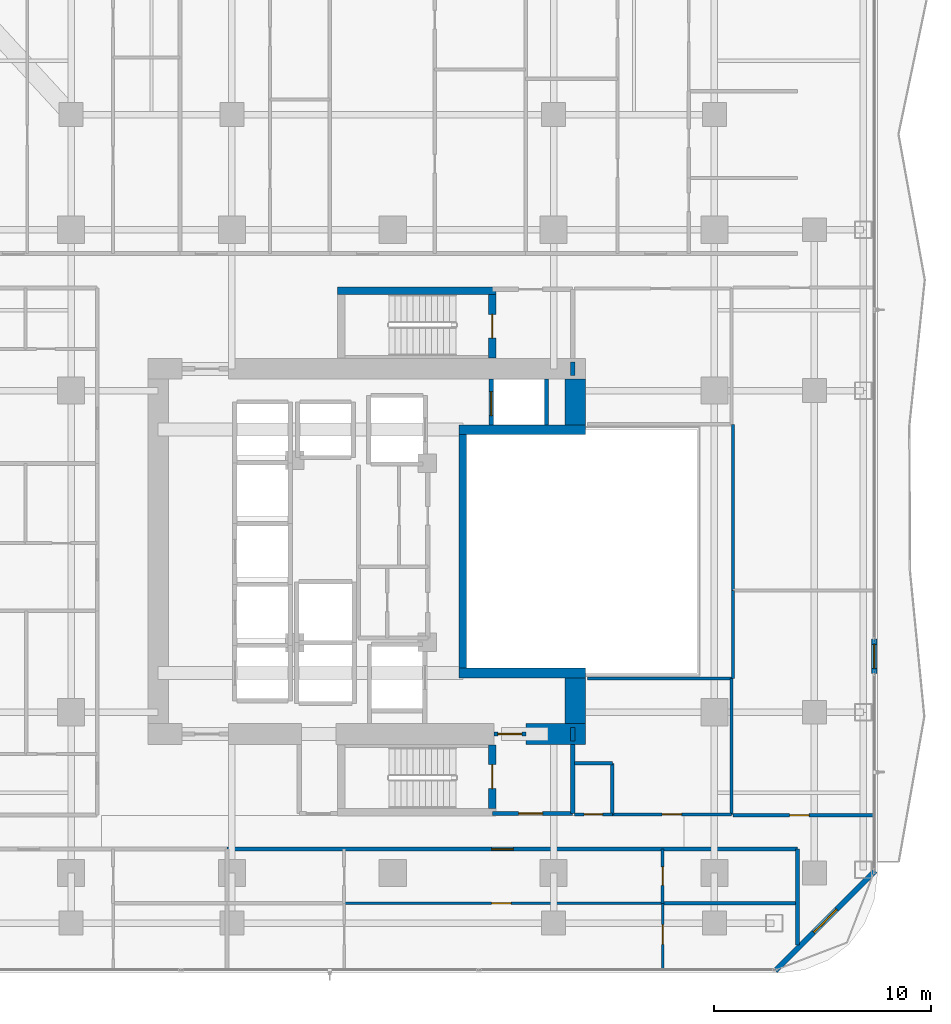
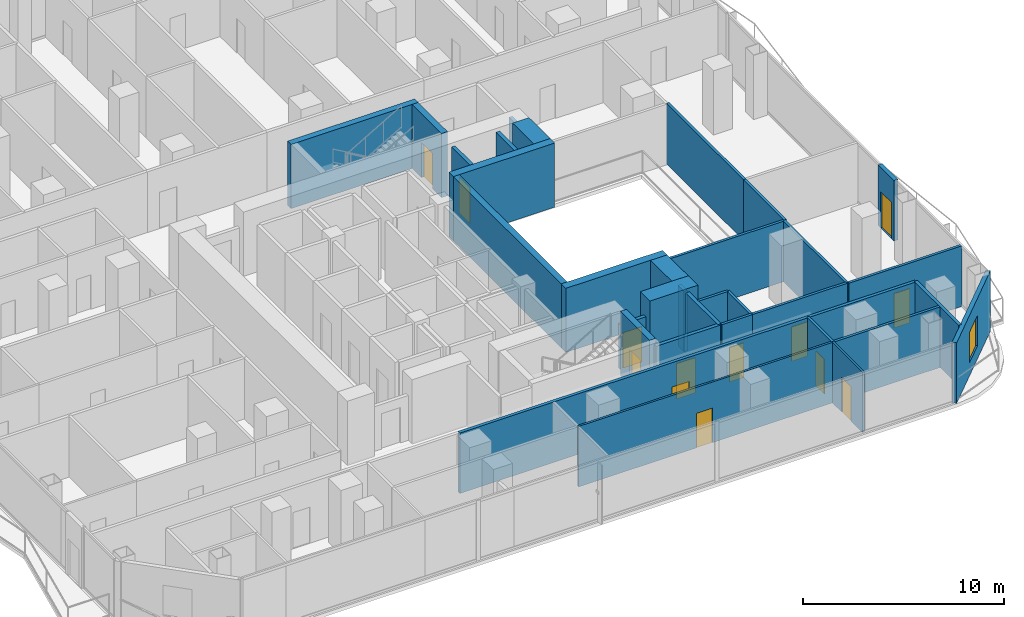
# One storey, part 21 of 28: 33 walls, 13 doors, 1 window, 14 openings.
"""IFC4 building model written with IfcOpenShell, lengths in metres."""

from ifc_helpers import new_model, si_unit, direction, frame, frame_2d, origin, place, context, subcontext, project, spatial, rectangle, extrude, material, layer, layer_set, type_object, element, fill, save


model = new_model("IFC4")

# Units and contexts
model_context = context("Model", 3, precision=1e-05, world=origin(), true_north=direction((0.0, 1.0)))
body_context = subcontext(model_context, "Body", "Model", "MODEL_VIEW")
ifc_project = project(units=[si_unit("LENGTHUNIT", "METRE"), si_unit("AREAUNIT", "SQUARE_METRE"), si_unit("VOLUMEUNIT", "CUBIC_METRE"), si_unit("PLANEANGLEUNIT", "RADIAN"), si_unit("MASSUNIT", "GRAM", prefix="KILO")], contexts=[model_context])

# Site, building, storey
site_placement = place(None, origin())
site = spatial("IfcSite", under=ifc_project, at=site_placement, CompositionType="ELEMENT")
building_placement = place(site_placement, origin())
building = spatial("IfcBuilding", under=site, at=building_placement, Name="Khorvyn Point Tower", CompositionType="ELEMENT")
storey_placement = place(building_placement, frame((0.0, 0.0, 89.10009765625)))
storey = spatial("IfcBuildingStorey", under=building, at=storey_placement, Name="L22", CompositionType="ELEMENT", Elevation=89.10009765625)

# Wall, opening, door
ifc_material_1 = material(Name="Double acoustic gypsum on twin steel stud", Category="steel")
ifc_layer_1 = layer(ifc_material_1, 0.179931640625)
ifc_layer_set_1 = layer_set([ifc_layer_1], Name="Acoustic Double-Stud Apartment Demising Wall 180")
wall_type_1 = type_object("IfcWallType", Name="Acoustic Double-Stud Apartment Demising Wall 180", PredefinedType="PARTITIONING", material=ifc_layer_set_1)
wall_1_placement = place(storey_placement, frame((-7.634033203125, -13.699951171875, 0.0), z_axis=(0.0, 0.0, 1.0), x_axis=(1.0, 0.0, 0.0)))
wall_1 = element("IfcWall", 1, at=wall_1_placement, inside=storey, type_object=wall_type_1, Name="Wall", PredefinedType="PARTITIONING", context=body_context, shape_type="SweptSolid", body=[
    extrude(rectangle(XDim=26.254150390625, YDim=0.179931640625, at=frame_2d((13.126953125, 0.0))), origin(), (0.0, 0.0, 1.0), 3.679931640625),
])
opening_1_placement = place(wall_1_placement, frame((12.178466796875, 0.0, 0.0)))
opening_1 = element("IfcOpeningElement", 2, at=opening_1_placement, cuts=wall_1, Name="Opening ID-AP60", PredefinedType="OPENING", context=body_context, shape_type="SweptSolid", body=[
    extrude(rectangle(XDim=1.0, YDim=2.199951171875, at=frame_2d((0.5, 1.10009765625))), frame((0.0, 0.099853515625, 0.0), z_axis=(0.0, -1.0, 0.0), x_axis=(1.0, 0.0, 0.0)), (0.0, 0.0, 1.0), 0.199951171875),
])
ifc_material_2 = material(Name="Engineered hardwood fire-rated leaf", Category="wood")
door_type_1 = type_object("IfcDoorType", Name="Acoustic Solid-Core Timber Apartment Entrance Door 1000x2200", OperationType="NOTDEFINED", PredefinedType="DOOR", material=ifc_material_2)
door_1_placement = place(opening_1_placement, origin())
door_1 = element("IfcDoor", 3, at=door_1_placement, inside=storey, type_object=door_type_1, Name="Door", OperationType="SINGLE_SWING_RIGHT", OverallHeight=2.199951171875, OverallWidth=1.0, PredefinedType="DOOR", context=body_context, shape_type="SweptSolid", body=[
    extrude(rectangle(XDim=1.0, YDim=2.199951171875, at=frame_2d((0.5, 1.10009765625))), frame((0.0, 0.02490234375, 0.0), z_axis=(0.0, -1.0, 0.0), x_axis=(1.0, 0.0, 0.0)), (0.0, 0.0, 1.0), 0.050048828125),
])
fill(opening_1, door_1)

# Wall
wall_2_placement = place(storey_placement, frame((18.6201171875, -18.110107421875, 0.0), z_axis=(0.0, 0.0, 1.0), x_axis=(0.0, 1.0, 0.0)))
element("IfcWall", 4, at=wall_2_placement, inside=storey, type_object=wall_type_1, Name="Wall", PredefinedType="PARTITIONING", context=body_context, shape_type="SweptSolid", body=[
    extrude(rectangle(XDim=4.41015625, YDim=0.179931640625, at=frame_2d((2.205078125, 0.0))), origin(), (0.0, 0.0, 1.0), 3.679931640625),
])

# Wall, opening, door
ifc_material_3 = material(Name="Pale anodised aluminium rainscreen on steel stud", Category="steel")
ifc_layer_2 = layer(ifc_material_3, 0.239990234375)
ifc_layer_set_2 = layer_set([ifc_layer_2], Name="Anodised Aluminium Insulated Corner Spandrel Wall 240")
wall_type_2 = type_object("IfcWallType", Name="Anodised Aluminium Insulated Corner Spandrel Wall 240", PredefinedType="SOLIDWALL", material=ifc_layer_set_2)
wall_3_placement = place(storey_placement, frame((22.14990234375, -4.0400390625, 0.0), z_axis=(0.0, 0.0, 1.0), x_axis=(0.0, -1.0, 0.0)))
wall_3 = element("IfcWall", 5, at=wall_3_placement, inside=storey, type_object=wall_type_2, Name="L22 East Outdoor Threshold Wall", PredefinedType="SOLIDWALL", context=body_context, shape_type="SweptSolid", body=[
    extrude(rectangle(XDim=1.580078125, YDim=0.239990234375, at=frame_2d((0.7900390625, 0.0))), origin(), (0.0, 0.0, 1.0), 3.679931640625),
])
opening_2_placement = place(wall_3_placement, frame((0.239990234375, 0.0, 0.0)))
opening_2 = element("IfcOpeningElement", 6, at=opening_2_placement, cuts=wall_3, Name="Opening BD-1122", PredefinedType="OPENING", context=body_context, shape_type="SweptSolid", body=[
    extrude(rectangle(XDim=1.10009765625, YDim=2.199951171875, at=frame_2d((0.550048828125, 1.10009765625))), frame((0.0, 0.1298828125, 0.0), z_axis=(0.0, -1.0, 0.0), x_axis=(1.0, 0.0, 0.0)), (0.0, 0.0, 1.0), 0.260009765625),
])
ifc_material_4 = material(Name="Anodised aluminium 6063-T6 and laminated Low-E glass", Category="aluminium")
door_type_2 = type_object("IfcDoorType", Name="Glazed Balcony and Terrace Threshold Door 1100x2200", OperationType="NOTDEFINED", PredefinedType="DOOR", material=ifc_material_4)
door_2_placement = place(opening_2_placement, origin())
door_2 = element("IfcDoor", 7, at=door_2_placement, inside=storey, type_object=door_type_2, Name="L22 East Glazed Balcony Outdoor Door", OperationType="SINGLE_SWING_RIGHT", OverallHeight=2.199951171875, OverallWidth=1.10009765625, PredefinedType="DOOR", context=body_context, shape_type="SweptSolid", body=[
    extrude(rectangle(XDim=1.10009765625, YDim=2.199951171875, at=frame_2d((0.550048828125, 1.10009765625))), frame((0.0, 0.02490234375, 0.0), z_axis=(0.0, -1.0, 0.0), x_axis=(1.0, 0.0, 0.0)), (0.0, 0.0, 1.0), 0.050048828125),
])
fill(opening_2, door_2)

# Wall, opening, window
wall_4_placement = place(storey_placement, frame((22.1923828125, -14.70751953125, 0.0), z_axis=(0.0, 0.0, 1.0), x_axis=(-0.707087954376, -0.707125607496, 0.0)))
wall_4 = element("IfcWall", 8, at=wall_4_placement, inside=storey, type_object=wall_type_2, Name="L22 Rounded Corner Wall SE", PredefinedType="SOLIDWALL", context=body_context, shape_type="SweptSolid", body=[
    extrude(rectangle(XDim=6.48388671875, YDim=0.239990234375, at=frame_2d((3.241943359375, 0.0))), origin(), (0.0, 0.0, 1.0), 3.679931640625),
])
opening_3_placement = place(wall_4_placement, frame((2.491943359375, 0.0, 0.800048828125)))
opening_3 = element("IfcOpeningElement", 9, at=opening_3_placement, cuts=wall_4, Name="Opening WN-1518", PredefinedType="OPENING", context=body_context, shape_type="SweptSolid", body=[
    extrude(rectangle(XDim=1.5, YDim=1.85009765625, at=frame_2d((0.75, 0.925048828125))), frame((0.0, 0.1298828125, 0.0), z_axis=(0.0, -1.0, 0.0), x_axis=(1.0, 0.0, 0.0)), (0.0, 0.0, 1.0), 0.260009765625),
])
window_type = type_object("IfcWindowType", Name="Anodised Aluminium Rounded-Corner Panoramic Window 1500x1850", PartitioningType="SINGLE_PANEL", PredefinedType="WINDOW", material=ifc_material_4)
window_placement = place(opening_3_placement, origin())
window = element("IfcWindow", 10, at=window_placement, inside=storey, type_object=window_type, Name="L22 Corner Panoramic Window SE", OverallHeight=1.85009765625, OverallWidth=1.5, PartitioningType="SINGLE_PANEL", PredefinedType="WINDOW", context=body_context, shape_type="SweptSolid", body=[
    extrude(rectangle(XDim=1.5, YDim=1.85009765625, at=frame_2d((0.75, 0.925048828125))), frame((0.0, 0.030029296875, 0.0), z_axis=(0.0, -1.0, 0.0), x_axis=(1.0, 0.0, 0.0)), (0.0, 0.0, 1.0), 0.06005859375),
])
fill(opening_3, window)

# Walls
ifc_material_5 = material(Name="Concrete C40/50", Category="concrete")
ifc_layer_3 = layer(ifc_material_5, 0.449951171875)
ifc_layer_set_3 = layer_set([ifc_layer_3], Name="Concrete C40/50 Core Shear Wall 450")
wall_type_3 = type_object("IfcWallType", Name="Concrete C40/50 Core Shear Wall 450", PredefinedType="SHEAR", material=ifc_layer_set_3)
for number, where, z_axis, x_axis, name in (
    (11, (3.044921875, -5.60009765625, 0.0), (0.0, 0.0, 1.0), (1.0, 0.0, 0.0), "Wall"),
    (12, (3.044921875, 5.60009765625, 0.0), (0.0, 0.0, 1.0), (1.0, 0.0, 0.0), "Wall"),
):
    element("IfcWall", number, at=place(storey_placement, frame(where, z_axis=z_axis, x_axis=x_axis)), inside=storey, type_object=wall_type_3, Name=name, PredefinedType="SHEAR", context=body_context, shape_type="SweptSolid", body=[
        extrude(rectangle(XDim=5.830078125, YDim=0.449951171875, at=frame_2d((2.9150390625, 0.0))), origin(), (0.0, 0.0, 1.0), 3.89990234375),
    ])

# Wall, opening, door
ifc_layer_4 = layer(ifc_material_5, 0.199951171875)
ifc_layer_set_4 = layer_set([ifc_layer_4], Name="Concrete C40/50 Fire-Lobby Compartment Wall 200")
wall_type_4 = type_object("IfcWallType", Name="Concrete C40/50 Fire-Lobby Compartment Wall 200", PredefinedType="SOLIDWALL", material=ifc_layer_set_4)
wall_5_placement = place(storey_placement, frame((4.580078125, -12.06005859375, 0.0), z_axis=(0.0, 0.0, 1.0), x_axis=(1.0, 0.0, 0.0)))
wall_5 = element("IfcWall", 13, at=wall_5_placement, inside=storey, type_object=wall_type_4, Name="Wall", PredefinedType="SOLIDWALL", context=body_context, shape_type="SweptSolid", body=[
    extrude(rectangle(XDim=3.699951171875, YDim=0.199951171875, at=frame_2d((1.85009765625, 0.0))), origin(), (0.0, 0.0, 1.0), 3.679931640625),
])
opening_4_placement = place(wall_5_placement, frame((1.21240234375, 0.0, 0.0)))
opening_4 = element("IfcOpeningElement", 14, at=opening_4_placement, cuts=wall_5, Name="Opening ID-FL90", PredefinedType="OPENING", context=body_context, shape_type="SweptSolid", body=[
    extrude(rectangle(XDim=1.10009765625, YDim=2.14990234375, at=frame_2d((0.550048828125, 1.074951171875))), frame((0.0, 0.10986328125, 0.0), z_axis=(0.0, -1.0, 0.0), x_axis=(1.0, 0.0, 0.0)), (0.0, 0.0, 1.0), 0.219970703125),
])
ifc_material_6 = material(Name="Galvanised powder-coated steel", Category="steel")
door_type_3 = type_object("IfcDoorType", Name="Fire-Rated Steel Lobby and Stair Door 1100x2150", OperationType="NOTDEFINED", PredefinedType="DOOR", material=ifc_material_6)
door_3_placement = place(opening_4_placement, origin())
door_3 = element("IfcDoor", 15, at=door_3_placement, inside=storey, type_object=door_type_3, Name="Door", OperationType="SINGLE_SWING_LEFT", OverallHeight=2.14990234375, OverallWidth=1.10009765625, PredefinedType="DOOR", context=body_context, shape_type="SweptSolid", body=[
    extrude(rectangle(XDim=1.10009765625, YDim=2.14990234375, at=frame_2d((0.550048828125, 1.074951171875))), frame((0.0, 0.02490234375, 0.0), z_axis=(0.0, -1.0, 0.0), x_axis=(1.0, 0.0, 0.0)), (0.0, 0.0, 1.0), 0.050048828125),
])
fill(opening_4, door_3)

wall_6_placement = place(storey_placement, frame((4.64990234375, -8.39990234375, 0.0), z_axis=(0.0, 0.0, 1.0), x_axis=(1.0, 0.0, 0.0)))
wall_6 = element("IfcWall", 16, at=wall_6_placement, inside=storey, type_object=wall_type_4, Name="Wall", PredefinedType="SOLIDWALL", context=body_context, shape_type="SweptSolid", body=[
    extrude(rectangle(XDim=1.47021484375, YDim=0.199951171875, at=frame_2d((0.735107421875, 0.0))), origin(), (0.0, 0.0, 1.0), 2.719970703125),
])
opening_5_placement = place(wall_6_placement, frame((0.18505859375, 0.0, 0.0)))
opening_5 = element("IfcOpeningElement", 17, at=opening_5_placement, cuts=wall_6, Name="Opening ID-FL90", PredefinedType="OPENING", context=body_context, shape_type="SweptSolid", body=[
    extrude(rectangle(XDim=1.10009765625, YDim=2.14990234375, at=frame_2d((0.550048828125, 1.074951171875))), frame((0.0, 0.10986328125, 0.0), z_axis=(0.0, -1.0, 0.0), x_axis=(1.0, 0.0, 0.0)), (0.0, 0.0, 1.0), 0.219970703125),
])
door_4_placement = place(opening_5_placement, origin())
door_4 = element("IfcDoor", 18, at=door_4_placement, inside=storey, type_object=door_type_3, Name="Door", OperationType="SINGLE_SWING_RIGHT", OverallHeight=2.14990234375, OverallWidth=1.10009765625, PredefinedType="DOOR", context=body_context, shape_type="SweptSolid", body=[
    extrude(rectangle(XDim=1.10009765625, YDim=2.14990234375, at=frame_2d((0.550048828125, 1.074951171875))), frame((0.0, 0.02490234375, 0.0), z_axis=(0.0, -1.0, 0.0), x_axis=(1.0, 0.0, 0.0)), (0.0, 0.0, 1.0), 0.050048828125),
])
fill(opening_5, door_4)

# Walls
wall_7_placement = place(storey_placement, frame((8.280029296875, -12.06005859375, 0.0), z_axis=(0.0, 0.0, 1.0), x_axis=(0.0, 1.0, 0.0)))
element("IfcWall", 19, at=wall_7_placement, inside=storey, type_object=wall_type_4, Name="Wall", PredefinedType="SOLIDWALL", context=body_context, shape_type="SweptSolid", body=[
    extrude(rectangle(XDim=3.18505859375, YDim=0.199951171875, at=frame_2d((1.592529296875, 0.0))), origin(), (0.0, 0.0, 1.0), 3.679931640625),
])
for number, where, z_axis, x_axis, name in (
    (20, (8.280029296875, -8.72509765625, 0.0), (0.0, 0.0, 1.0), (0.0, 1.0, 0.0), "Wall"),
    (21, (8.280029296875, 8.10009765625, 0.0), (0.0, 0.0, 1.0), (0.0, 1.0, 0.0), "Wall"),
):
    element("IfcWall", number, at=place(storey_placement, frame(where, z_axis=z_axis, x_axis=x_axis)), inside=storey, type_object=wall_type_4, Name=name, PredefinedType="SOLIDWALL", context=body_context, shape_type="SweptSolid", body=[
        extrude(rectangle(XDim=0.625, YDim=0.199951171875, at=frame_2d((0.3125, 0.0))), origin(), (0.0, 0.0, 1.0), 3.679931640625),
    ])
ifc_layer_5 = layer(ifc_material_5, 0.35009765625)
ifc_layer_set_5 = layer_set([ifc_layer_5], Name="Concrete C40/50 Stair Shaft Structural Wall 350")
wall_type_5 = type_object("IfcWallType", Name="Concrete C40/50 Stair Shaft Structural Wall 350", PredefinedType="SHEAR", material=ifc_layer_set_5)
wall_8_placement = place(storey_placement, frame((3.219970703125, -5.375, 0.0), z_axis=(0.0, 0.0, 1.0), x_axis=(0.0, 1.0, 0.0)))
element("IfcWall", 22, at=wall_8_placement, inside=storey, type_object=wall_type_5, Name="Wall", PredefinedType="SHEAR", context=body_context, shape_type="SweptSolid", body=[
    extrude(rectangle(XDim=10.75, YDim=0.35009765625, at=frame_2d((5.375, 0.0))), origin(), (0.0, 0.0, 1.0), 3.89990234375),
])

# Wall, opening, door
wall_9_placement = place(storey_placement, frame((4.580078125, -8.89990234375, 0.0), z_axis=(0.0, 0.0, 1.0), x_axis=(0.0, -1.0, 0.0)))
wall_9 = element("IfcWall", 23, at=wall_9_placement, inside=storey, type_object=wall_type_5, Name="L22 ST-01 East Landing Door Wall", PredefinedType="SHEAR", context=body_context, shape_type="SweptSolid", body=[
    extrude(rectangle(XDim=2.925048828125, YDim=0.35009765625, at=frame_2d((1.46240234375, 0.0))), origin(), (0.0, 0.0, 1.0), 3.89990234375),
])
opening_6_placement = place(wall_9_placement, frame((0.91259765625, 0.0, 0.0)))
opening_6 = element("IfcOpeningElement", 24, at=opening_6_placement, cuts=wall_9, Name="Opening ID-FL90", PredefinedType="OPENING", context=body_context, shape_type="SweptSolid", body=[
    extrude(rectangle(XDim=1.10009765625, YDim=2.14990234375, at=frame_2d((0.550048828125, 1.074951171875))), frame((0.0, 0.18505859375, 0.0), z_axis=(0.0, -1.0, 0.0), x_axis=(1.0, 0.0, 0.0)), (0.0, 0.0, 1.0), 0.3701171875),
])
door_5_placement = place(opening_6_placement, origin())
door_5 = element("IfcDoor", 25, at=door_5_placement, inside=storey, type_object=door_type_3, Name="L22 ST-01 Smokeproof Landing Door", OperationType="SINGLE_SWING_RIGHT", OverallHeight=2.14990234375, OverallWidth=1.10009765625, PredefinedType="DOOR", context=body_context, shape_type="SweptSolid", body=[
    extrude(rectangle(XDim=1.10009765625, YDim=2.14990234375, at=frame_2d((0.550048828125, 1.074951171875))), frame((0.0, 0.02490234375, 0.0), z_axis=(0.0, -1.0, 0.0), x_axis=(1.0, 0.0, 0.0)), (0.0, 0.0, 1.0), 0.050048828125),
])
fill(opening_6, door_5)

# Wall
wall_10_placement = place(storey_placement, frame((-2.554931640625, 12.0, 0.0), z_axis=(0.0, 0.0, 1.0), x_axis=(1.0, 0.0, 0.0)))
element("IfcWall", 26, at=wall_10_placement, inside=storey, type_object=wall_type_5, Name="L22 ST-02 North Shaft Wall", PredefinedType="SHEAR", context=body_context, shape_type="SweptSolid", body=[
    extrude(rectangle(XDim=7.309814453125, YDim=0.35009765625, at=frame_2d((3.65478515625, 0.0))), origin(), (0.0, 0.0, 1.0), 3.89990234375),
])

# Wall, opening, door
wall_11_placement = place(storey_placement, frame((4.580078125, 11.824951171875, 0.0), z_axis=(0.0, 0.0, 1.0), x_axis=(0.0, -1.0, 0.0)))
wall_11 = element("IfcWall", 27, at=wall_11_placement, inside=storey, type_object=wall_type_5, Name="L22 ST-02 East Landing Door Wall", PredefinedType="SHEAR", context=body_context, shape_type="SweptSolid", body=[
    extrude(rectangle(XDim=2.925048828125, YDim=0.35009765625, at=frame_2d((1.46240234375, 0.0))), origin(), (0.0, 0.0, 1.0), 3.89990234375),
])
opening_7_placement = place(wall_11_placement, frame((0.91259765625, 0.0, 0.0)))
opening_7 = element("IfcOpeningElement", 28, at=opening_7_placement, cuts=wall_11, Name="Opening ID-FL90", PredefinedType="OPENING", context=body_context, shape_type="SweptSolid", body=[
    extrude(rectangle(XDim=1.10009765625, YDim=2.14990234375, at=frame_2d((0.550048828125, 1.074951171875))), frame((0.0, 0.18505859375, 0.0), z_axis=(0.0, -1.0, 0.0), x_axis=(1.0, 0.0, 0.0)), (0.0, 0.0, 1.0), 0.3701171875),
])
door_6_placement = place(opening_7_placement, origin())
door_6 = element("IfcDoor", 29, at=door_6_placement, inside=storey, type_object=door_type_3, Name="L22 ST-02 Smokeproof Landing Door", OperationType="SINGLE_SWING_LEFT", OverallHeight=2.14990234375, OverallWidth=1.10009765625, PredefinedType="DOOR", context=body_context, shape_type="SweptSolid", body=[
    extrude(rectangle(XDim=1.10009765625, YDim=2.14990234375, at=frame_2d((0.550048828125, 1.074951171875))), frame((0.0, 0.02490234375, 0.0), z_axis=(0.0, -1.0, 0.0), x_axis=(1.0, 0.0, 0.0)), (0.0, 0.0, 1.0), 0.050048828125),
])
fill(opening_7, door_6)

ifc_layer_6 = layer(ifc_material_5, 0.199951171875)
ifc_layer_set_6 = layer_set([ifc_layer_6], Name="Concrete C40/50 Structural Hoistway and Stair Shaft Wall 200")
wall_type_6 = type_object("IfcWallType", Name="Concrete C40/50 Structural Hoistway and Stair Shaft Wall 200", PredefinedType="SHEAR", material=ifc_layer_set_6)
wall_12_placement = place(storey_placement, frame((4.52490234375, 5.824951171875, 0.0), z_axis=(0.0, 0.0, 1.0), x_axis=(0.0, 1.0, 0.0)))
wall_12 = element("IfcWall", 30, at=wall_12_placement, inside=storey, type_object=wall_type_6, Name="Wall", PredefinedType="SHEAR", context=body_context, shape_type="SweptSolid", body=[
    extrude(rectangle(XDim=2.10009765625, YDim=0.199951171875, at=frame_2d((1.050048828125, 0.0))), origin(), (0.0, 0.0, 1.0), 3.679931640625),
])
opening_8_placement = place(wall_12_placement, frame((0.425048828125, 0.0, 0.0)))
opening_8 = element("IfcOpeningElement", 31, at=opening_8_placement, cuts=wall_12, Name="Opening LD-1122", PredefinedType="OPENING", context=body_context, shape_type="SweptSolid", body=[
    extrude(rectangle(XDim=1.10009765625, YDim=2.199951171875, at=frame_2d((0.550048828125, 1.10009765625))), frame((0.0, 0.10986328125, 0.0), z_axis=(0.0, -1.0, 0.0), x_axis=(1.0, 0.0, 0.0)), (0.0, 0.0, 1.0), 0.219970703125),
])
ifc_material_7 = material(Name="Stainless steel 1.4301", Category="steel")
door_type_4 = type_object("IfcDoorType", Name="Stainless Steel Automatic Sliding Lift Landing Door 1100x2200", OperationType="SLIDING_TO_LEFT", PredefinedType="DOOR", material=ifc_material_7)
door_7_placement = place(opening_8_placement, origin())
door_7 = element("IfcDoor", 32, at=door_7_placement, inside=storey, type_object=door_type_4, Name="L22 FF-02 Sliding Lift Landing Door", OperationType="SLIDING_TO_LEFT", OverallHeight=2.199951171875, OverallWidth=1.10009765625, PredefinedType="DOOR", context=body_context, shape_type="SweptSolid", body=[
    extrude(rectangle(XDim=1.10009765625, YDim=2.199951171875, at=frame_2d((0.550048828125, 1.10009765625))), frame((0.0, 0.02490234375, 0.0), z_axis=(0.0, -1.0, 0.0), x_axis=(1.0, 0.0, 0.0)), (0.0, 0.0, 1.0), 0.050048828125),
])
fill(opening_8, door_7)

# Walls
wall_13_placement = place(storey_placement, frame((7.074951171875, 5.824951171875, 0.0), z_axis=(0.0, 0.0, 1.0), x_axis=(0.0, 1.0, 0.0)))
element("IfcWall", 33, at=wall_13_placement, inside=storey, type_object=wall_type_6, Name="Wall", PredefinedType="SHEAR", context=body_context, shape_type="SweptSolid", body=[
    extrude(rectangle(XDim=2.10009765625, YDim=0.199951171875, at=frame_2d((1.050048828125, 0.0))), origin(), (0.0, 0.0, 1.0), 3.679931640625),
])
ifc_material_8 = material(Name="Concrete C50/60", Category="concrete")
ifc_layer_7 = layer(ifc_material_8, 0.949951171875)
ifc_layer_set_7 = layer_set([ifc_layer_7], Name="Concrete C50/60 Core Shear Wall 950")
wall_type_7 = type_object("IfcWallType", Name="Concrete C50/60 Core Shear Wall 950", PredefinedType="SHEAR", material=ifc_layer_set_7)
wall_14_placement = place(storey_placement, frame((6.1201171875, -8.39990234375, 0.0), z_axis=(0.0, 0.0, 1.0), x_axis=(1.0, 0.0, 0.0)))
element("IfcWall", 34, at=wall_14_placement, inside=storey, type_object=wall_type_7, Name="Wall", PredefinedType="SHEAR", context=body_context, shape_type="SweptSolid", body=[
    extrude(rectangle(XDim=2.7548828125, YDim=0.949951171875, at=frame_2d((1.37744140625, 0.0))), origin(), (0.0, 0.0, 1.0), 3.89990234375),
])
for number, where, z_axis, x_axis, name in (
    (35, (8.39990234375, -7.925048828125, 0.0), (0.0, 0.0, 1.0), (0.0, 1.0, 0.0), "Wall"),
    (36, (8.39990234375, 5.824951171875, 0.0), (0.0, 0.0, 1.0), (0.0, 1.0, 0.0), "Wall"),
):
    element("IfcWall", number, at=place(storey_placement, frame(where, z_axis=z_axis, x_axis=x_axis)), inside=storey, type_object=wall_type_7, Name=name, PredefinedType="SHEAR", context=body_context, shape_type="SweptSolid", body=[
        extrude(rectangle(XDim=2.10009765625, YDim=0.949951171875, at=frame_2d((1.050048828125, 0.0))), origin(), (0.0, 0.0, 1.0), 3.89990234375),
    ])

# Wall, opening, door
ifc_material_9 = material(Name="Gypsum plasterboard on steel stud", Category="steel")
ifc_layer_8 = layer(ifc_material_9, 0.1201171875)
ifc_layer_set_8 = layer_set([ifc_layer_8], Name="Gypsum Acoustic Stud Room Partition Wall 120")
wall_type_8 = type_object("IfcWallType", Name="Gypsum Acoustic Stud Room Partition Wall 120", PredefinedType="PARTITIONING", material=ifc_layer_set_8)
wall_15_placement = place(storey_placement, frame((-2.239990234375, -16.18994140625, 0.0), z_axis=(0.0, 0.0, 1.0), x_axis=(1.0, 0.0, 0.0)))
wall_15 = element("IfcWall", 37, at=wall_15_placement, inside=storey, type_object=wall_type_8, Name="Wall", PredefinedType="PARTITIONING", context=body_context, shape_type="SweptSolid", body=[
    extrude(rectangle(XDim=14.654052734375, YDim=0.1201171875, at=frame_2d((7.3271484375, 0.0))), origin(), (0.0, 0.0, 1.0), 3.679931640625),
])
opening_9_placement = place(wall_15_placement, frame((6.787353515625, 0.0, 0.0)))
opening_9 = element("IfcOpeningElement", 38, at=opening_9_placement, cuts=wall_15, Name="Opening ID-RM90", PredefinedType="OPENING", context=body_context, shape_type="SweptSolid", body=[
    extrude(rectangle(XDim=0.89990234375, YDim=2.10009765625, at=frame_2d((0.449951171875, 1.050048828125))), frame((0.0, 0.070068359375, 0.0), z_axis=(0.0, -1.0, 0.0), x_axis=(1.0, 0.0, 0.0)), (0.0, 0.0, 1.0), 0.14013671875),
])
ifc_material_10 = material(Name="Engineered oak veneer timber", Category="wood")
door_type_5 = type_object("IfcDoorType", Name="Flush Engineered Timber Room Door 900x2100", OperationType="NOTDEFINED", PredefinedType="DOOR", material=ifc_material_10)
door_8_placement = place(opening_9_placement, origin())
door_8 = element("IfcDoor", 39, at=door_8_placement, inside=storey, type_object=door_type_5, Name="Door", OperationType="SINGLE_SWING_LEFT", OverallHeight=2.10009765625, OverallWidth=0.89990234375, PredefinedType="DOOR", context=body_context, shape_type="SweptSolid", body=[
    extrude(rectangle(XDim=0.89990234375, YDim=2.10009765625, at=frame_2d((0.449951171875, 1.050048828125))), frame((0.0, 0.02490234375, 0.0), z_axis=(0.0, -1.0, 0.0), x_axis=(1.0, 0.0, 0.0)), (0.0, 0.0, 1.0), 0.050048828125),
])
fill(opening_9, door_8)

wall_16_placement = place(storey_placement, frame((12.4140625, -19.22998046875, 0.0), z_axis=(0.0, 0.0, 1.0), x_axis=(0.0, 1.0, 0.0)))
wall_16 = element("IfcWall", 40, at=wall_16_placement, inside=storey, type_object=wall_type_8, Name="Wall", PredefinedType="PARTITIONING", context=body_context, shape_type="SweptSolid", body=[
    extrude(rectangle(XDim=3.0400390625, YDim=0.1201171875, at=frame_2d((1.52001953125, 0.0))), origin(), (0.0, 0.0, 1.0), 3.679931640625),
])
opening_10_placement = place(wall_16_placement, frame((1.152587890625, 0.0, 0.0)))
opening_10 = element("IfcOpeningElement", 41, at=opening_10_placement, cuts=wall_16, Name="Opening ID-RM90", PredefinedType="OPENING", context=body_context, shape_type="SweptSolid", body=[
    extrude(rectangle(XDim=0.89990234375, YDim=2.10009765625, at=frame_2d((0.449951171875, 1.050048828125))), frame((0.0, 0.070068359375, 0.0), z_axis=(0.0, -1.0, 0.0), x_axis=(1.0, 0.0, 0.0)), (0.0, 0.0, 1.0), 0.14013671875),
])
door_9_placement = place(opening_10_placement, origin())
door_9 = element("IfcDoor", 42, at=door_9_placement, inside=storey, type_object=door_type_5, Name="Door", OperationType="SINGLE_SWING_LEFT", OverallHeight=2.10009765625, OverallWidth=0.89990234375, PredefinedType="DOOR", context=body_context, shape_type="SweptSolid", body=[
    extrude(rectangle(XDim=0.89990234375, YDim=2.10009765625, at=frame_2d((0.449951171875, 1.050048828125))), frame((0.0, 0.02490234375, 0.0), z_axis=(0.0, -1.0, 0.0), x_axis=(1.0, 0.0, 0.0)), (0.0, 0.0, 1.0), 0.050048828125),
])
fill(opening_10, door_9)

ifc_material_11 = material(Name="Moisture-resistant gypsum and cement board", Category="gypsum")
ifc_layer_9 = layer(ifc_material_11, 0.14990234375)
ifc_layer_set_9 = layer_set([ifc_layer_9], Name="Moisture-Resistant Wet-Room Partition Wall 150")
wall_type_9 = type_object("IfcWallType", Name="Moisture-Resistant Wet-Room Partition Wall 150", PredefinedType="PARTITIONING", material=ifc_layer_set_9)
wall_17_placement = place(storey_placement, frame((8.360107421875, -12.10009765625, 0.0), z_axis=(0.0, 0.0, 1.0), x_axis=(1.0, 0.0, 0.0)))
wall_17 = element("IfcWall", 43, at=wall_17_placement, inside=storey, type_object=wall_type_9, Name="Wall", PredefinedType="PARTITIONING", context=body_context, shape_type="SweptSolid", body=[
    extrude(rectangle(XDim=1.739990234375, YDim=0.14990234375, at=frame_2d((0.8701171875, 0.0))), origin(), (0.0, 0.0, 1.0), 3.679931640625),
])
opening_11_placement = place(wall_17_placement, frame((0.445068359375, 0.0, 0.0)))
opening_11 = element("IfcOpeningElement", 44, at=opening_11_placement, cuts=wall_17, Name="Opening ID-WC85", PredefinedType="OPENING", context=body_context, shape_type="SweptSolid", body=[
    extrude(rectangle(XDim=0.85009765625, YDim=2.10009765625, at=frame_2d((0.425048828125, 1.050048828125))), frame((0.0, 0.0849609375, 0.0), z_axis=(0.0, -1.0, 0.0), x_axis=(1.0, 0.0, 0.0)), (0.0, 0.0, 1.0), 0.169921875),
])
ifc_material_12 = material(Name="High-pressure laminate on moisture-resistant core", Category="wood")
door_type_6 = type_object("IfcDoorType", Name="Moisture-Resistant Accessible Washroom Door 850x2100", OperationType="NOTDEFINED", PredefinedType="DOOR", material=ifc_material_12)
door_10_placement = place(opening_11_placement, origin())
door_10 = element("IfcDoor", 45, at=door_10_placement, inside=storey, type_object=door_type_6, Name="Door", OperationType="SINGLE_SWING_LEFT", OverallHeight=2.10009765625, OverallWidth=0.85009765625, PredefinedType="DOOR", context=body_context, shape_type="SweptSolid", body=[
    extrude(rectangle(XDim=0.85009765625, YDim=2.10009765625, at=frame_2d((0.425048828125, 1.050048828125))), frame((0.0, 0.02490234375, 0.0), z_axis=(0.0, -1.0, 0.0), x_axis=(1.0, 0.0, 0.0)), (0.0, 0.0, 1.0), 0.050048828125),
])
fill(opening_11, door_10)

wall_18_placement = place(storey_placement, frame((10.10009765625, -12.10009765625, 0.0), z_axis=(0.0, 0.0, 1.0), x_axis=(1.0, 0.0, 0.0)))
wall_18 = element("IfcWall", 46, at=wall_18_placement, inside=storey, type_object=wall_type_9, Name="Wall", PredefinedType="PARTITIONING", context=body_context, shape_type="SweptSolid", body=[
    extrude(rectangle(XDim=5.47998046875, YDim=0.14990234375, at=frame_2d((2.739990234375, 0.0))), origin(), (0.0, 0.0, 1.0), 3.679931640625),
])
opening_12_placement = place(wall_18_placement, frame((2.2900390625, 0.0, 0.0)))
opening_12 = element("IfcOpeningElement", 47, at=opening_12_placement, cuts=wall_18, Name="Opening ID-RM90", PredefinedType="OPENING", context=body_context, shape_type="SweptSolid", body=[
    extrude(rectangle(XDim=0.89990234375, YDim=2.10009765625, at=frame_2d((0.449951171875, 1.050048828125))), frame((0.0, 0.0849609375, 0.0), z_axis=(0.0, -1.0, 0.0), x_axis=(1.0, 0.0, 0.0)), (0.0, 0.0, 1.0), 0.169921875),
])
door_11_placement = place(opening_12_placement, origin())
door_11 = element("IfcDoor", 48, at=door_11_placement, inside=storey, type_object=door_type_5, Name="Door", OperationType="SINGLE_SWING_RIGHT", OverallHeight=2.10009765625, OverallWidth=0.89990234375, PredefinedType="DOOR", context=body_context, shape_type="SweptSolid", body=[
    extrude(rectangle(XDim=0.89990234375, YDim=2.10009765625, at=frame_2d((0.449951171875, 1.050048828125))), frame((0.0, 0.02490234375, 0.0), z_axis=(0.0, -1.0, 0.0), x_axis=(1.0, 0.0, 0.0)), (0.0, 0.0, 1.0), 0.050048828125),
])
fill(opening_12, door_11)

wall_19_placement = place(storey_placement, frame((12.4140625, -16.18994140625, 0.0), z_axis=(0.0, 0.0, 1.0), x_axis=(0.0, 1.0, 0.0)))
wall_19 = element("IfcWall", 49, at=wall_19_placement, inside=storey, type_object=wall_type_9, Name="Wall", PredefinedType="PARTITIONING", context=body_context, shape_type="SweptSolid", body=[
    extrude(rectangle(XDim=2.489990234375, YDim=0.14990234375, at=frame_2d((1.2451171875, 0.0))), origin(), (0.0, 0.0, 1.0), 3.679931640625),
])
opening_13_placement = place(wall_19_placement, frame((0.820068359375, 0.0, 0.0)))
opening_13 = element("IfcOpeningElement", 50, at=opening_13_placement, cuts=wall_19, Name="Opening ID-WC85", PredefinedType="OPENING", context=body_context, shape_type="SweptSolid", body=[
    extrude(rectangle(XDim=0.85009765625, YDim=2.10009765625, at=frame_2d((0.425048828125, 1.050048828125))), frame((0.0, 0.0849609375, 0.0), z_axis=(0.0, -1.0, 0.0), x_axis=(1.0, 0.0, 0.0)), (0.0, 0.0, 1.0), 0.169921875),
])
door_12_placement = place(opening_13_placement, origin())
door_12 = element("IfcDoor", 51, at=door_12_placement, inside=storey, type_object=door_type_6, Name="Door", OperationType="SINGLE_SWING_RIGHT", OverallHeight=2.10009765625, OverallWidth=0.85009765625, PredefinedType="DOOR", context=body_context, shape_type="SweptSolid", body=[
    extrude(rectangle(XDim=0.85009765625, YDim=2.10009765625, at=frame_2d((0.425048828125, 1.050048828125))), frame((0.0, 0.02490234375, 0.0), z_axis=(0.0, -1.0, 0.0), x_axis=(1.0, 0.0, 0.0)), (0.0, 0.0, 1.0), 0.050048828125),
])
fill(opening_13, door_12)

wall_20_placement = place(storey_placement, frame((15.64990234375, -12.139892578125, 0.0), z_axis=(0.0, 0.0, 1.0), x_axis=(1.0, 0.0, 0.0)))
wall_20 = element("IfcWall", 52, at=wall_20_placement, inside=storey, type_object=wall_type_9, Name="Wall", PredefinedType="PARTITIONING", context=body_context, shape_type="SweptSolid", body=[
    extrude(rectangle(XDim=6.47021484375, YDim=0.14990234375, at=frame_2d((3.235107421875, 0.0))), origin(), (0.0, 0.0, 1.0), 3.679931640625),
])
opening_14_placement = place(wall_20_placement, frame((2.610107421875, 0.0, 0.0)))
opening_14 = element("IfcOpeningElement", 53, at=opening_14_placement, cuts=wall_20, Name="Opening ID-RM90", PredefinedType="OPENING", context=body_context, shape_type="SweptSolid", body=[
    extrude(rectangle(XDim=0.89990234375, YDim=2.10009765625, at=frame_2d((0.449951171875, 1.050048828125))), frame((0.0, 0.0849609375, 0.0), z_axis=(0.0, -1.0, 0.0), x_axis=(1.0, 0.0, 0.0)), (0.0, 0.0, 1.0), 0.169921875),
])
door_13_placement = place(opening_14_placement, origin())
door_13 = element("IfcDoor", 54, at=door_13_placement, inside=storey, type_object=door_type_5, Name="Door", OperationType="SINGLE_SWING_RIGHT", OverallHeight=2.10009765625, OverallWidth=0.89990234375, PredefinedType="DOOR", context=body_context, shape_type="SweptSolid", body=[
    extrude(rectangle(XDim=0.89990234375, YDim=2.10009765625, at=frame_2d((0.449951171875, 1.050048828125))), frame((0.0, 0.02490234375, 0.0), z_axis=(0.0, -1.0, 0.0), x_axis=(1.0, 0.0, 0.0)), (0.0, 0.0, 1.0), 0.050048828125),
])
fill(opening_14, door_13)

# Walls
wall_21_placement = place(storey_placement, frame((8.360107421875, -9.75, 0.0), z_axis=(0.0, 0.0, 1.0), x_axis=(1.0, 0.0, 0.0)))
element("IfcWall", 55, at=wall_21_placement, inside=storey, type_object=wall_type_9, Name="Wall", PredefinedType="PARTITIONING", context=body_context, shape_type="SweptSolid", body=[
    extrude(rectangle(XDim=1.739990234375, YDim=0.14990234375, at=frame_2d((0.8701171875, 0.0))), origin(), (0.0, 0.0, 1.0), 3.679931640625),
])
wall_22_placement = place(storey_placement, frame((10.10009765625, -12.10009765625, 0.0), z_axis=(0.0, 0.0, 1.0), x_axis=(0.0, 1.0, 0.0)))
element("IfcWall", 56, at=wall_22_placement, inside=storey, type_object=wall_type_9, Name="Wall", PredefinedType="PARTITIONING", context=body_context, shape_type="SweptSolid", body=[
    extrude(rectangle(XDim=2.35009765625, YDim=0.14990234375, at=frame_2d((1.175048828125, 0.0))), origin(), (0.0, 0.0, 1.0), 3.679931640625),
])
wall_23_placement = place(storey_placement, frame((15.580078125, -12.10009765625, 0.0), z_axis=(0.0, 0.0, 1.0), x_axis=(0.0, 1.0, 0.0)))
element("IfcWall", 57, at=wall_23_placement, inside=storey, type_object=wall_type_9, Name="Wall", PredefinedType="PARTITIONING", context=body_context, shape_type="SweptSolid", body=[
    extrude(rectangle(XDim=6.25, YDim=0.14990234375, at=frame_2d((3.125, 0.0))), origin(), (0.0, 0.0, 1.0), 3.679931640625),
])
wall_24_placement = place(storey_placement, frame((8.9599609375, -5.85009765625, 0.0), z_axis=(0.0, 0.0, 1.0), x_axis=(1.0, 0.0, 0.0)))
element("IfcWall", 58, at=wall_24_placement, inside=storey, type_object=wall_type_9, Name="Wall", PredefinedType="PARTITIONING", context=body_context, shape_type="SweptSolid", body=[
    extrude(rectangle(XDim=6.6201171875, YDim=0.14990234375, at=frame_2d((3.31005859375, 0.0))), origin(), (0.0, 0.0, 1.0), 3.679931640625),
])
wall_25_placement = place(storey_placement, frame((12.4140625, -16.18994140625, 0.0), z_axis=(0.0, 0.0, 1.0), x_axis=(1.0, 0.0, 0.0)))
element("IfcWall", 59, at=wall_25_placement, inside=storey, type_object=wall_type_9, Name="Wall", PredefinedType="PARTITIONING", context=body_context, shape_type="SweptSolid", body=[
    extrude(rectangle(XDim=6.2060546875, YDim=0.14990234375, at=frame_2d((3.10302734375, 0.0))), origin(), (0.0, 0.0, 1.0), 3.679931640625),
])
wall_26_placement = place(storey_placement, frame((15.64990234375, -5.85009765625, 0.0), z_axis=(0.0, 0.0, 1.0), x_axis=(0.0, 1.0, 0.0)))
element("IfcWall", 60, at=wall_26_placement, inside=storey, type_object=wall_type_9, Name="Wall", PredefinedType="PARTITIONING", context=body_context, shape_type="SweptSolid", body=[
    extrude(rectangle(XDim=4.050048828125, YDim=0.14990234375, at=frame_2d((2.02490234375, 0.0))), origin(), (0.0, 0.0, 1.0), 3.679931640625),
])
wall_27_placement = place(storey_placement, frame((15.64990234375, -1.800048828125, 0.0), z_axis=(0.0, 0.0, 1.0), x_axis=(0.0, 1.0, 0.0)))
element("IfcWall", 61, at=wall_27_placement, inside=storey, type_object=wall_type_9, Name="Wall", PredefinedType="PARTITIONING", context=body_context, shape_type="SweptSolid", body=[
    extrude(rectangle(XDim=7.650146484375, YDim=0.14990234375, at=frame_2d((3.8251953125, 0.0))), origin(), (0.0, 0.0, 1.0), 3.679931640625),
])

save(model, "model.ifc")
